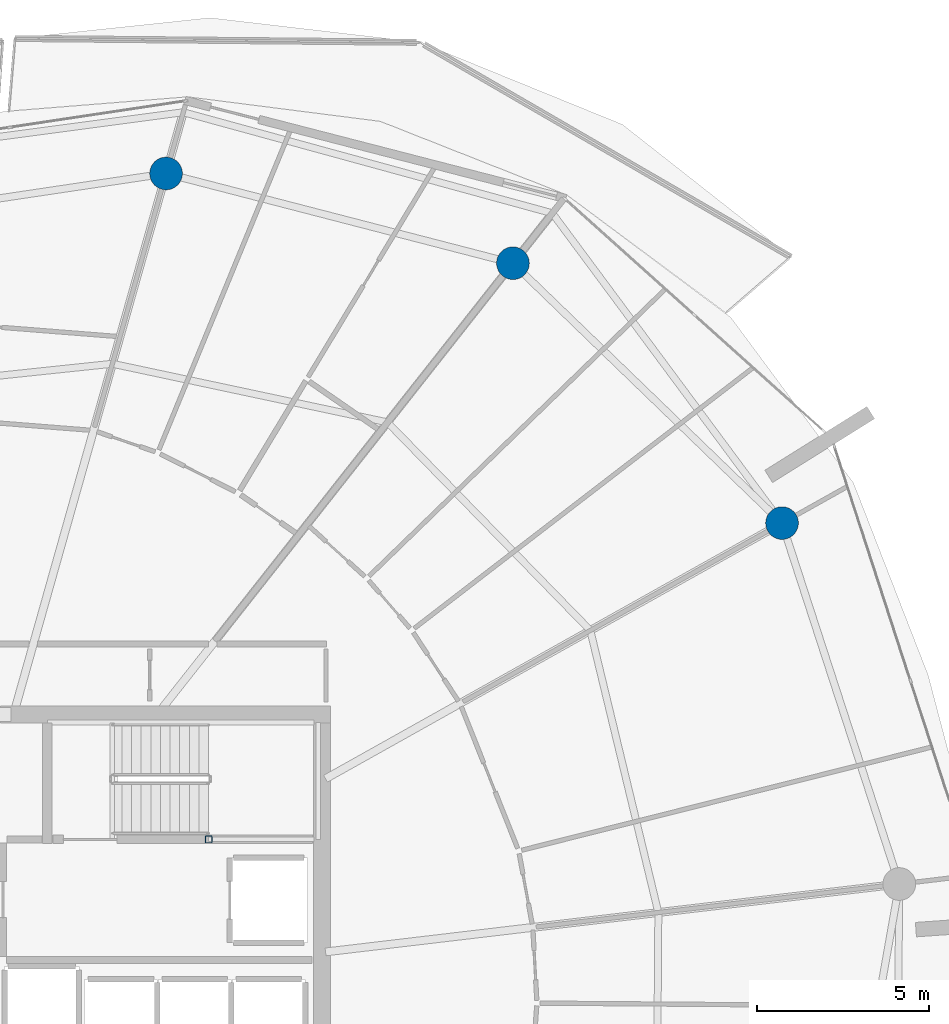
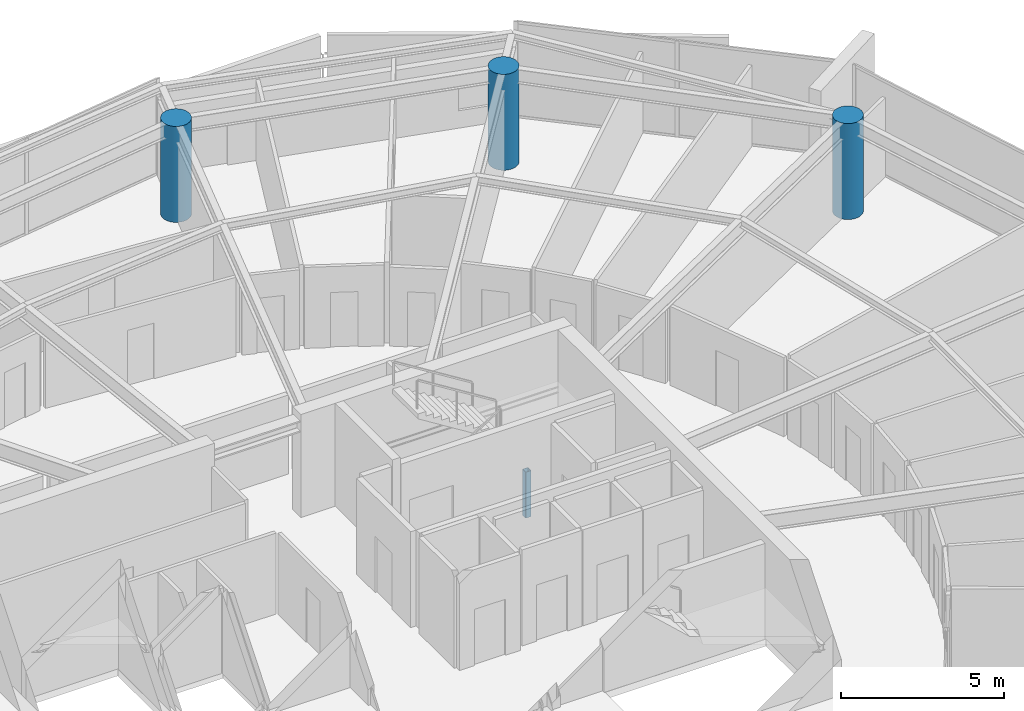
# One storey, part 5 of 30: 4 columns.
"""IFC4 building model written with IfcOpenShell, lengths in metres."""

from ifc_helpers import new_model, si_unit, direction, frame, origin, origin_2d, place, context, subcontext, project, spatial, hollow_rectangle, circle, extrude, material, material_profile, profile_set, type_object, element, save


model = new_model("IFC4")

# Units and contexts
model_context = context("Model", 3, precision=1e-05, world=origin(), true_north=direction((0.0, 1.0)))
body_context = subcontext(model_context, "Body", "Model", "MODEL_VIEW")
ifc_project = project(units=[si_unit("LENGTHUNIT", "METRE"), si_unit("AREAUNIT", "SQUARE_METRE"), si_unit("VOLUMEUNIT", "CUBIC_METRE"), si_unit("PLANEANGLEUNIT", "RADIAN"), si_unit("MASSUNIT", "GRAM", prefix="KILO")], contexts=[model_context])

# Site, building, storey
site_placement = place(None, origin())
site = spatial("IfcSite", under=ifc_project, at=site_placement, CompositionType="ELEMENT")
building_placement = place(site_placement, origin())
building = spatial("IfcBuilding", under=site, at=building_placement, Name="Kazma Halo Residences", CompositionType="ELEMENT")
storey_placement = place(building_placement, frame((0.0, 0.0, 290.60009765625)))
storey = spatial("IfcBuildingStorey", under=building, at=storey_placement, Name="L73", CompositionType="ELEMENT", Elevation=290.60009765625)

# Columns
ifc_material_1 = material(Name="Steel S355", Category="steel")
ifc_material_profile_1 = material_profile(ifc_material_1, hollow_rectangle(XDim=0.199951171875, YDim=0.199951171875, WallThickness=0.010009765625, InnerFilletRadius=0.010009765625, OuterFilletRadius=0.02001953125, at=origin_2d()), Name="SHS200x200x10")
ifc_profile_set_1 = profile_set([ifc_material_profile_1], Name="Steel S355")
column_type_1 = type_object("IfcColumnType", Name="COL-LP-SHS200", PredefinedType="COLUMN", material=ifc_profile_set_1)
column_placement = place(storey_placement, frame((56.0, 46.6201171875, 0.0), z_axis=(0.0, 0.0, 1.0), x_axis=(1.0, 0.0, 0.0)))
element("IfcColumn", 1, at=column_placement, inside=storey, type_object=column_type_1, Name="L73 ST-02 landing pilaster 1", PredefinedType="COLUMN", context=body_context, shape_type="SweptSolid", body=[
    extrude(hollow_rectangle(XDim=0.199951171875, YDim=0.199951171875, WallThickness=0.010009765625, InnerFilletRadius=0.010009765625, OuterFilletRadius=0.02001953125, at=origin_2d()), origin(), (0.0, 0.0, 1.0), 1.719970703125),
])
ifc_material_2 = material(Name="Concrete C60/75", Category="concrete")
ifc_material_profile_2 = material_profile(ifc_material_2, circle(Radius=0.47509765625, at=origin_2d()), Name="CIRC950")
ifc_profile_set_2 = profile_set([ifc_material_profile_2], Name="Concrete C60/75")
column_type_2 = type_object("IfcColumnType", Name="COL-PERIM-950", PredefinedType="COLUMN", material=ifc_profile_set_2)
for number, where, z_axis, x_axis, name in (
    (2, (72.67041015625, 55.81591796875, 0.0), (0.0, 0.0, 1.0), (1.0, 0.0, 0.0), "L73 perimeter ring column P01"),
    (3, (64.84716796875, 63.37060546875, 0.0), (0.0, 0.0, 1.0), (1.0, 0.0, 0.0), "L73 perimeter ring column P02"),
    (4, (54.762939453125, 65.9794921875, 0.0), (0.0, 0.0, 1.0), (1.0, 0.0, 0.0), "L73 perimeter ring column P03"),
):
    element("IfcColumn", number, at=place(storey_placement, frame(where, z_axis=z_axis, x_axis=x_axis)), inside=storey, type_object=column_type_2, Name=name, PredefinedType="COLUMN", context=body_context, shape_type="SweptSolid", body=[
        extrude(circle(Radius=0.47509765625, at=origin_2d()), origin(), (0.0, 0.0, 1.0), 3.58984375),
    ])

save(model, "model.ifc")
